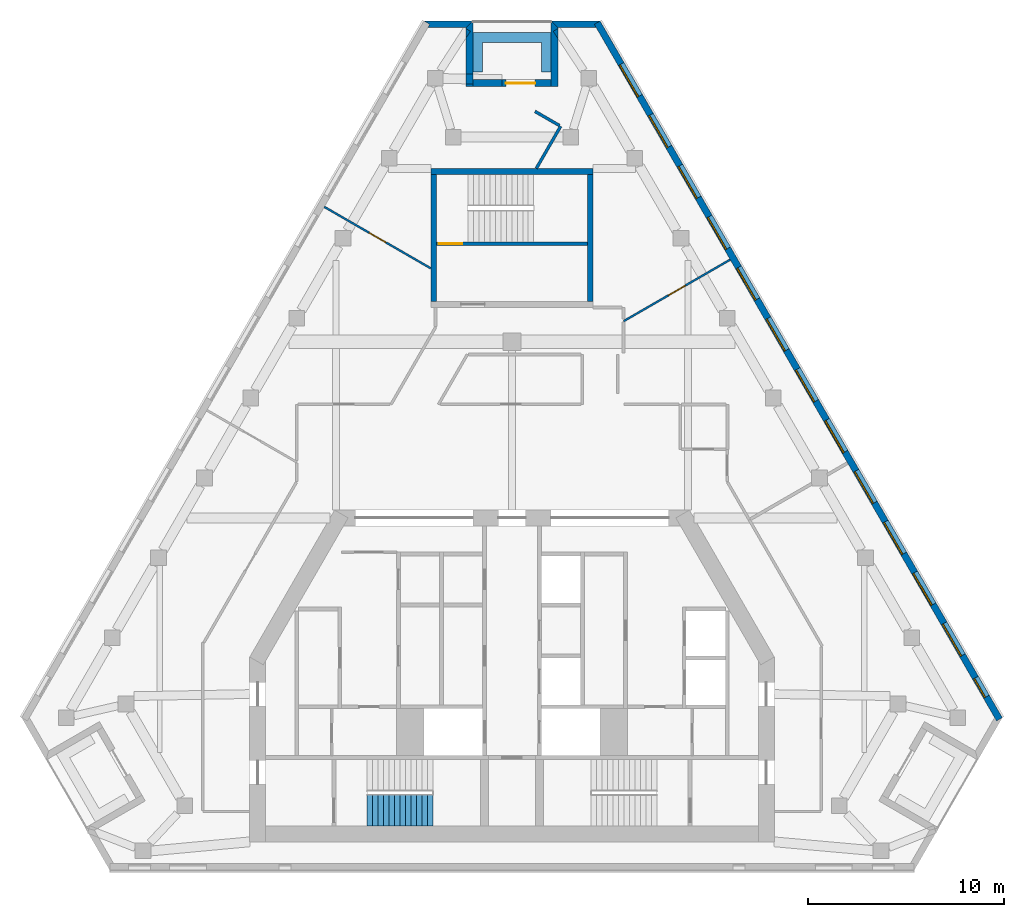
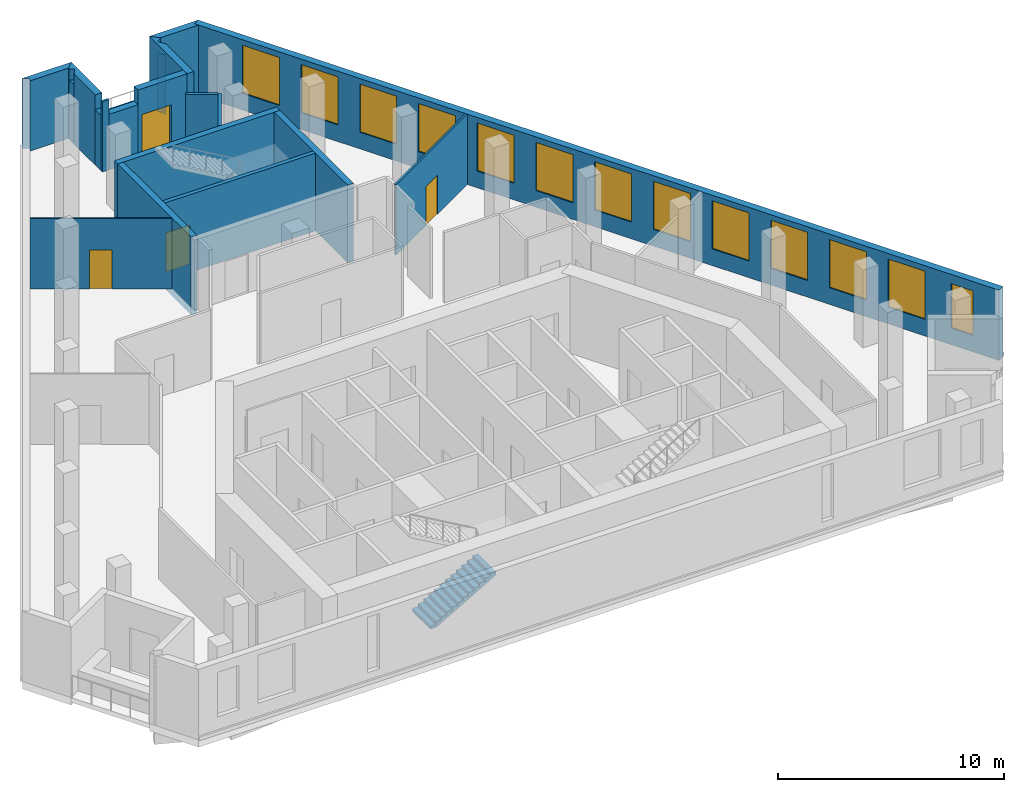
# One storey, part 6 of 8: 20 walls, 13 windows, 4 doors, 1 stair flight, 17 openings, 1 element without a shape of its own.
"""IFC4 building model written with IfcOpenShell, lengths in metres."""

from ifc_helpers import new_model, si_unit, direction, frame, frame_2d, origin, place, context, subcontext, project, spatial, polyline, rectangle, outline, extrude, material, layer, layer_set, type_object, element, fill, aggregate, save


model = new_model("IFC4")

# Units and contexts
model_context = context("Model", 3, precision=1e-05, world=origin(), true_north=direction((0.0, 1.0)))
body_context = subcontext(model_context, "Body", "Model", "MODEL_VIEW")
ifc_project = project(units=[si_unit("LENGTHUNIT", "METRE"), si_unit("AREAUNIT", "SQUARE_METRE"), si_unit("VOLUMEUNIT", "CUBIC_METRE"), si_unit("PLANEANGLEUNIT", "RADIAN"), si_unit("MASSUNIT", "GRAM", prefix="KILO")], contexts=[model_context])

# Site, building, storey
site_placement = place(None, origin())
site = spatial("IfcSite", under=ifc_project, at=site_placement, CompositionType="ELEMENT")
building_placement = place(site_placement, origin())
building = spatial("IfcBuilding", under=site, at=building_placement, Name="Fogline Exchange Tower", CompositionType="ELEMENT")
storey_placement = place(building_placement, frame((0.0, 0.0, 300.300048828125)))
storey = spatial("IfcBuildingStorey", under=building, at=storey_placement, Name="L68", CompositionType="ELEMENT", Elevation=300.300048828125)

# Wall, opening, door
ifc_material_1 = material(Name="Concrete C40", Category="concrete")
ifc_layer_1 = layer(ifc_material_1, 0.199951171875)
ifc_layer_set_1 = layer_set([ifc_layer_1], Name="CW20R")
wall_type_1 = type_object("IfcWallType", Name="CW20R", PredefinedType="SOLIDWALL", material=ifc_layer_set_1)
wall_1_placement = place(storey_placement, frame((-3.85009765625, 32.007080078125, -0.400146484375), z_axis=(0.0, 0.0, 1.0), x_axis=(1.0, 0.0, 0.0)))
wall_1 = element("IfcWall", 1, at=wall_1_placement, inside=storey, type_object=wall_type_1, Name="Stair enclosure wall ST3", PredefinedType="SOLIDWALL", context=body_context, shape_type="SweptSolid", body=[
    extrude(rectangle(XDim=7.7001953125, YDim=0.199951171875, at=frame_2d((3.85009765625, 0.0))), origin(), (0.0, 0.0, 1.0), 4.2001953125),
])
opening_1_placement = place(wall_1_placement, frame((0.10009765625, 0.0, 0.39990234375)))
opening_1 = element("IfcOpeningElement", 2, at=opening_1_placement, cuts=wall_1, Name="Opening T21-C024", PredefinedType="OPENING", context=body_context, shape_type="SweptSolid", body=[
    extrude(rectangle(XDim=1.199951171875, YDim=2.10009765625, at=frame_2d((0.60009765625, 1.050048828125))), frame((0.0, 0.10986328125, 0.0), z_axis=(0.0, -1.0, 0.0), x_axis=(1.0, 0.0, 0.0)), (0.0, 0.0, 1.0), 0.219970703125),
])
ifc_material_2 = material(Name="Steel and timber fire door", Category="steel")
door_type_1 = type_object("IfcDoorType", Name="D-ST1", OperationType="SINGLE_SWING_LEFT", PredefinedType="DOOR", material=ifc_material_2)
door_1_placement = place(opening_1_placement, origin())
door_1 = element("IfcDoor", 3, at=door_1_placement, inside=storey, type_object=door_type_1, Name="Stair door ST3", OperationType="SINGLE_SWING_LEFT", OverallHeight=2.10009765625, OverallWidth=1.199951171875, PredefinedType="DOOR", context=body_context, shape_type="SweptSolid", body=[
    extrude(rectangle(XDim=1.199951171875, YDim=2.10009765625, at=frame_2d((0.60009765625, 1.050048828125))), frame((0.0, 0.02490234375, 0.0), z_axis=(0.0, -1.0, 0.0), x_axis=(1.0, 0.0, 0.0)), (0.0, 0.0, 1.0), 0.050048828125),
])
fill(opening_1, door_1)

# Walls
ifc_layer_2 = layer(ifc_material_1, 0.300048828125)
ifc_layer_set_2 = layer_set([ifc_layer_2], Name="CW30")
wall_type_2 = type_object("IfcWallType", Name="CW30", PredefinedType="SOLIDWALL", material=ifc_layer_set_2)
wall_2_placement = place(storey_placement, frame((-4.14990234375, 35.70703125, -0.400146484375), z_axis=(0.0, 0.0, 1.0), x_axis=(1.0, 0.0, 0.0)))
element("IfcWall", 4, at=wall_2_placement, inside=storey, type_object=wall_type_2, Name="Stair enclosure wall ST3", PredefinedType="SOLIDWALL", context=body_context, shape_type="SweptSolid", body=[
    extrude(rectangle(XDim=8.2998046875, YDim=0.300048828125, at=frame_2d((4.14990234375, 0.0))), origin(), (0.0, 0.0, 1.0), 4.2001953125),
])
for number, where, z_axis, x_axis, name in (
    (5, (-4.0, 29.056884765625, -0.400146484375), (0.0, 0.0, 1.0), (0.0, 1.0, 0.0), "Stair enclosure wall ST3"),
    (6, (4.0, 29.056884765625, -0.400146484375), (0.0, 0.0, 1.0), (0.0, 1.0, 0.0), "Stair enclosure wall ST3"),
):
    element("IfcWall", number, at=place(storey_placement, frame(where, z_axis=z_axis, x_axis=x_axis)), inside=storey, type_object=wall_type_2, Name=name, PredefinedType="SOLIDWALL", context=body_context, shape_type="SweptSolid", body=[
        extrude(rectangle(XDim=6.5, YDim=0.300048828125, at=frame_2d((3.25, 0.0))), origin(), (0.0, 0.0, 1.0), 4.2001953125),
    ])

# Wall, openings, windows
ifc_material_3 = material(Name="Brick masonry", Category="masonry")
ifc_layer_3 = layer(ifc_material_3, 0.340087890625)
ifc_layer_set_3 = layer_set([ifc_layer_3], Name="FW1")
wall_type_3 = type_object("IfcWallType", Name="FW1", PredefinedType="SOLIDWALL", material=ifc_layer_set_3)
wall_3_placement = place(storey_placement, frame((24.905029296875, 7.709228515625, 0.0), z_axis=(0.0, 0.0, 1.0), x_axis=(-0.50000128873, 0.866024659735, 0.0)))
wall_3 = element("IfcWall", 7, at=wall_3_placement, inside=storey, type_object=wall_type_3, Name="Brick wall L68 E", PredefinedType="SOLIDWALL", context=body_context, shape_type="SweptSolid", body=[
    extrude(rectangle(XDim=41.1044921875, YDim=0.340087890625, at=frame_2d((20.55224609375, 0.0))), origin(), (0.0, 0.0, 1.0), 3.800048828125),
])
opening_2_placement = place(wall_3_placement, frame((3.776123046875, 0.0, 0.89990234375)))
opening_2 = element("IfcOpeningElement", 8, at=opening_2_placement, cuts=wall_3, Name="Opening W3", PredefinedType="OPENING", context=body_context, shape_type="SweptSolid", body=[
    extrude(rectangle(XDim=1.885009765625, YDim=2.60009765625, at=frame_2d((0.9423828125, 1.300048828125))), frame((0.0, 0.18017578125, 0.0), z_axis=(0.0, -1.0, 0.0), x_axis=(1.0, 0.0, 0.0)), (0.0, 0.0, 1.0), 0.360107421875),
])
opening_3_placement = place(wall_3_placement, frame((6.776123046875, 0.0, 0.89990234375)))
opening_3 = element("IfcOpeningElement", 9, at=opening_3_placement, cuts=wall_3, Name="Opening W3", PredefinedType="OPENING", context=body_context, shape_type="SweptSolid", body=[
    extrude(rectangle(XDim=1.885009765625, YDim=2.60009765625, at=frame_2d((0.9423828125, 1.300048828125))), frame((0.0, 0.18017578125, 0.0), z_axis=(0.0, -1.0, 0.0), x_axis=(1.0, 0.0, 0.0)), (0.0, 0.0, 1.0), 0.360107421875),
])
opening_4_placement = place(wall_3_placement, frame((9.776123046875, 0.0, 0.89990234375)))
opening_4 = element("IfcOpeningElement", 10, at=opening_4_placement, cuts=wall_3, Name="Opening W3", PredefinedType="OPENING", context=body_context, shape_type="SweptSolid", body=[
    extrude(rectangle(XDim=1.885009765625, YDim=2.60009765625, at=frame_2d((0.9423828125, 1.300048828125))), frame((0.0, 0.18017578125, 0.0), z_axis=(0.0, -1.0, 0.0), x_axis=(1.0, 0.0, 0.0)), (0.0, 0.0, 1.0), 0.360107421875),
])
opening_5_placement = place(wall_3_placement, frame((12.776123046875, 0.0, 0.89990234375)))
opening_5 = element("IfcOpeningElement", 11, at=opening_5_placement, cuts=wall_3, Name="Opening W3", PredefinedType="OPENING", context=body_context, shape_type="SweptSolid", body=[
    extrude(rectangle(XDim=1.885009765625, YDim=2.60009765625, at=frame_2d((0.9423828125, 1.300048828125))), frame((0.0, 0.18017578125, 0.0), z_axis=(0.0, -1.0, 0.0), x_axis=(1.0, 0.0, 0.0)), (0.0, 0.0, 1.0), 0.360107421875),
])
opening_6_placement = place(wall_3_placement, frame((15.776123046875, 0.0, 0.89990234375)))
opening_6 = element("IfcOpeningElement", 12, at=opening_6_placement, cuts=wall_3, Name="Opening W3", PredefinedType="OPENING", context=body_context, shape_type="SweptSolid", body=[
    extrude(rectangle(XDim=1.885009765625, YDim=2.60009765625, at=frame_2d((0.9423828125, 1.300048828125))), frame((0.0, 0.18017578125, 0.0), z_axis=(0.0, -1.0, 0.0), x_axis=(1.0, 0.0, 0.0)), (0.0, 0.0, 1.0), 0.360107421875),
])
opening_7_placement = place(wall_3_placement, frame((18.776123046875, 0.0, 0.89990234375)))
opening_7 = element("IfcOpeningElement", 13, at=opening_7_placement, cuts=wall_3, Name="Opening W3", PredefinedType="OPENING", context=body_context, shape_type="SweptSolid", body=[
    extrude(rectangle(XDim=1.885009765625, YDim=2.60009765625, at=frame_2d((0.9423828125, 1.300048828125))), frame((0.0, 0.18017578125, 0.0), z_axis=(0.0, -1.0, 0.0), x_axis=(1.0, 0.0, 0.0)), (0.0, 0.0, 1.0), 0.360107421875),
])
opening_8_placement = place(wall_3_placement, frame((21.776123046875, 0.0, 0.89990234375)))
opening_8 = element("IfcOpeningElement", 14, at=opening_8_placement, cuts=wall_3, Name="Opening W3", PredefinedType="OPENING", context=body_context, shape_type="SweptSolid", body=[
    extrude(rectangle(XDim=1.885009765625, YDim=2.60009765625, at=frame_2d((0.9423828125, 1.300048828125))), frame((0.0, 0.18017578125, 0.0), z_axis=(0.0, -1.0, 0.0), x_axis=(1.0, 0.0, 0.0)), (0.0, 0.0, 1.0), 0.360107421875),
])
opening_9_placement = place(wall_3_placement, frame((24.776123046875, 0.0, 0.89990234375)))
opening_9 = element("IfcOpeningElement", 15, at=opening_9_placement, cuts=wall_3, Name="Opening W3", PredefinedType="OPENING", context=body_context, shape_type="SweptSolid", body=[
    extrude(rectangle(XDim=1.885009765625, YDim=2.60009765625, at=frame_2d((0.9423828125, 1.300048828125))), frame((0.0, 0.18017578125, 0.0), z_axis=(0.0, -1.0, 0.0), x_axis=(1.0, 0.0, 0.0)), (0.0, 0.0, 1.0), 0.360107421875),
])
opening_10_placement = place(wall_3_placement, frame((27.776123046875, 0.0, 0.89990234375)))
opening_10 = element("IfcOpeningElement", 16, at=opening_10_placement, cuts=wall_3, Name="Opening W3", PredefinedType="OPENING", context=body_context, shape_type="SweptSolid", body=[
    extrude(rectangle(XDim=1.885009765625, YDim=2.60009765625, at=frame_2d((0.9423828125, 1.300048828125))), frame((0.0, 0.18017578125, 0.0), z_axis=(0.0, -1.0, 0.0), x_axis=(1.0, 0.0, 0.0)), (0.0, 0.0, 1.0), 0.360107421875),
])
opening_11_placement = place(wall_3_placement, frame((30.776123046875, 0.0, 0.89990234375)))
opening_11 = element("IfcOpeningElement", 17, at=opening_11_placement, cuts=wall_3, Name="Opening W3", PredefinedType="OPENING", context=body_context, shape_type="SweptSolid", body=[
    extrude(rectangle(XDim=1.885009765625, YDim=2.60009765625, at=frame_2d((0.9423828125, 1.300048828125))), frame((0.0, 0.18017578125, 0.0), z_axis=(0.0, -1.0, 0.0), x_axis=(1.0, 0.0, 0.0)), (0.0, 0.0, 1.0), 0.360107421875),
])
opening_12_placement = place(wall_3_placement, frame((33.776123046875, 0.0, 0.89990234375)))
opening_12 = element("IfcOpeningElement", 18, at=opening_12_placement, cuts=wall_3, Name="Opening W3", PredefinedType="OPENING", context=body_context, shape_type="SweptSolid", body=[
    extrude(rectangle(XDim=1.885009765625, YDim=2.60009765625, at=frame_2d((0.9423828125, 1.300048828125))), frame((0.0, 0.18017578125, 0.0), z_axis=(0.0, -1.0, 0.0), x_axis=(1.0, 0.0, 0.0)), (0.0, 0.0, 1.0), 0.360107421875),
])
opening_13_placement = place(wall_3_placement, frame((36.776123046875, 0.0, 0.89990234375)))
opening_13 = element("IfcOpeningElement", 19, at=opening_13_placement, cuts=wall_3, Name="Opening W3", PredefinedType="OPENING", context=body_context, shape_type="SweptSolid", body=[
    extrude(rectangle(XDim=1.885009765625, YDim=2.60009765625, at=frame_2d((0.9423828125, 1.300048828125))), frame((0.0, 0.18017578125, 0.0), z_axis=(0.0, -1.0, 0.0), x_axis=(1.0, 0.0, 0.0)), (0.0, 0.0, 1.0), 0.360107421875),
])
opening_14_placement = place(wall_3_placement, frame((1.33056640625, 0.0, 0.89990234375)))
opening_14 = element("IfcOpeningElement", 20, at=opening_14_placement, cuts=wall_3, Name="Opening W4", PredefinedType="OPENING", context=body_context, shape_type="SweptSolid", body=[
    extrude(rectangle(XDim=1.114990234375, YDim=2.39990234375, at=frame_2d((0.5576171875, 1.199951171875))), frame((0.0, 0.18017578125, 0.0), z_axis=(0.0, -1.0, 0.0), x_axis=(1.0, 0.0, 0.0)), (0.0, 0.0, 1.0), 0.360107421875),
])
ifc_material_4 = material(Name="Aluminium and glass", Category="aluminium")
window_type_1 = type_object("IfcWindowType", Name="W3", PartitioningType="SINGLE_PANEL", PredefinedType="WINDOW", material=ifc_material_4)
window_1_placement = place(opening_2_placement, origin())
window_1 = element("IfcWindow", 21, at=window_1_placement, inside=storey, type_object=window_type_1, Name="W3 W3", OverallHeight=2.60009765625, OverallWidth=1.885009765625, PartitioningType="SINGLE_PANEL", PredefinedType="WINDOW", context=body_context, shape_type="SweptSolid", body=[
    extrude(rectangle(XDim=1.885009765625, YDim=2.60009765625, at=frame_2d((0.9423828125, 1.300048828125))), frame((0.0, 0.110107421875, 0.0), z_axis=(0.0, -1.0, 0.0), x_axis=(1.0, 0.0, 0.0)), (0.0, 0.0, 1.0), 0.06005859375),
])
fill(opening_2, window_1)
window_2_placement = place(opening_3_placement, origin())
window_2 = element("IfcWindow", 22, at=window_2_placement, inside=storey, type_object=window_type_1, Name="W3 W3", OverallHeight=2.60009765625, OverallWidth=1.885009765625, PartitioningType="SINGLE_PANEL", PredefinedType="WINDOW", context=body_context, shape_type="SweptSolid", body=[
    extrude(rectangle(XDim=1.885009765625, YDim=2.60009765625, at=frame_2d((0.9423828125, 1.300048828125))), frame((0.0, 0.110107421875, 0.0), z_axis=(0.0, -1.0, 0.0), x_axis=(1.0, 0.0, 0.0)), (0.0, 0.0, 1.0), 0.06005859375),
])
fill(opening_3, window_2)
window_3_placement = place(opening_4_placement, origin())
window_3 = element("IfcWindow", 23, at=window_3_placement, inside=storey, type_object=window_type_1, Name="W3 W3", OverallHeight=2.60009765625, OverallWidth=1.885009765625, PartitioningType="SINGLE_PANEL", PredefinedType="WINDOW", context=body_context, shape_type="SweptSolid", body=[
    extrude(rectangle(XDim=1.885009765625, YDim=2.60009765625, at=frame_2d((0.9423828125, 1.300048828125))), frame((0.0, 0.110107421875, 0.0), z_axis=(0.0, -1.0, 0.0), x_axis=(1.0, 0.0, 0.0)), (0.0, 0.0, 1.0), 0.06005859375),
])
fill(opening_4, window_3)
window_4_placement = place(opening_5_placement, origin())
window_4 = element("IfcWindow", 24, at=window_4_placement, inside=storey, type_object=window_type_1, Name="W3 W3", OverallHeight=2.60009765625, OverallWidth=1.885009765625, PartitioningType="SINGLE_PANEL", PredefinedType="WINDOW", context=body_context, shape_type="SweptSolid", body=[
    extrude(rectangle(XDim=1.885009765625, YDim=2.60009765625, at=frame_2d((0.9423828125, 1.300048828125))), frame((0.0, 0.110107421875, 0.0), z_axis=(0.0, -1.0, 0.0), x_axis=(1.0, 0.0, 0.0)), (0.0, 0.0, 1.0), 0.06005859375),
])
fill(opening_5, window_4)
window_5_placement = place(opening_6_placement, origin())
window_5 = element("IfcWindow", 25, at=window_5_placement, inside=storey, type_object=window_type_1, Name="W3 W3", OverallHeight=2.60009765625, OverallWidth=1.885009765625, PartitioningType="SINGLE_PANEL", PredefinedType="WINDOW", context=body_context, shape_type="SweptSolid", body=[
    extrude(rectangle(XDim=1.885009765625, YDim=2.60009765625, at=frame_2d((0.9423828125, 1.300048828125))), frame((0.0, 0.110107421875, 0.0), z_axis=(0.0, -1.0, 0.0), x_axis=(1.0, 0.0, 0.0)), (0.0, 0.0, 1.0), 0.06005859375),
])
fill(opening_6, window_5)
window_6_placement = place(opening_7_placement, origin())
window_6 = element("IfcWindow", 26, at=window_6_placement, inside=storey, type_object=window_type_1, Name="W3 W3", OverallHeight=2.60009765625, OverallWidth=1.885009765625, PartitioningType="SINGLE_PANEL", PredefinedType="WINDOW", context=body_context, shape_type="SweptSolid", body=[
    extrude(rectangle(XDim=1.885009765625, YDim=2.60009765625, at=frame_2d((0.9423828125, 1.300048828125))), frame((0.0, 0.110107421875, 0.0), z_axis=(0.0, -1.0, 0.0), x_axis=(1.0, 0.0, 0.0)), (0.0, 0.0, 1.0), 0.06005859375),
])
fill(opening_7, window_6)
window_7_placement = place(opening_8_placement, origin())
window_7 = element("IfcWindow", 27, at=window_7_placement, inside=storey, type_object=window_type_1, Name="W3 W3", OverallHeight=2.60009765625, OverallWidth=1.885009765625, PartitioningType="SINGLE_PANEL", PredefinedType="WINDOW", context=body_context, shape_type="SweptSolid", body=[
    extrude(rectangle(XDim=1.885009765625, YDim=2.60009765625, at=frame_2d((0.9423828125, 1.300048828125))), frame((0.0, 0.110107421875, 0.0), z_axis=(0.0, -1.0, 0.0), x_axis=(1.0, 0.0, 0.0)), (0.0, 0.0, 1.0), 0.06005859375),
])
fill(opening_8, window_7)
window_8_placement = place(opening_9_placement, origin())
window_8 = element("IfcWindow", 28, at=window_8_placement, inside=storey, type_object=window_type_1, Name="W3 W3", OverallHeight=2.60009765625, OverallWidth=1.885009765625, PartitioningType="SINGLE_PANEL", PredefinedType="WINDOW", context=body_context, shape_type="SweptSolid", body=[
    extrude(rectangle(XDim=1.885009765625, YDim=2.60009765625, at=frame_2d((0.9423828125, 1.300048828125))), frame((0.0, 0.110107421875, 0.0), z_axis=(0.0, -1.0, 0.0), x_axis=(1.0, 0.0, 0.0)), (0.0, 0.0, 1.0), 0.06005859375),
])
fill(opening_9, window_8)
window_9_placement = place(opening_10_placement, origin())
window_9 = element("IfcWindow", 29, at=window_9_placement, inside=storey, type_object=window_type_1, Name="W3 W3", OverallHeight=2.60009765625, OverallWidth=1.885009765625, PartitioningType="SINGLE_PANEL", PredefinedType="WINDOW", context=body_context, shape_type="SweptSolid", body=[
    extrude(rectangle(XDim=1.885009765625, YDim=2.60009765625, at=frame_2d((0.9423828125, 1.300048828125))), frame((0.0, 0.110107421875, 0.0), z_axis=(0.0, -1.0, 0.0), x_axis=(1.0, 0.0, 0.0)), (0.0, 0.0, 1.0), 0.06005859375),
])
fill(opening_10, window_9)
window_10_placement = place(opening_11_placement, origin())
window_10 = element("IfcWindow", 30, at=window_10_placement, inside=storey, type_object=window_type_1, Name="W3 W3", OverallHeight=2.60009765625, OverallWidth=1.885009765625, PartitioningType="SINGLE_PANEL", PredefinedType="WINDOW", context=body_context, shape_type="SweptSolid", body=[
    extrude(rectangle(XDim=1.885009765625, YDim=2.60009765625, at=frame_2d((0.9423828125, 1.300048828125))), frame((0.0, 0.110107421875, 0.0), z_axis=(0.0, -1.0, 0.0), x_axis=(1.0, 0.0, 0.0)), (0.0, 0.0, 1.0), 0.06005859375),
])
fill(opening_11, window_10)
window_11_placement = place(opening_12_placement, origin())
window_11 = element("IfcWindow", 31, at=window_11_placement, inside=storey, type_object=window_type_1, Name="W3 W3", OverallHeight=2.60009765625, OverallWidth=1.885009765625, PartitioningType="SINGLE_PANEL", PredefinedType="WINDOW", context=body_context, shape_type="SweptSolid", body=[
    extrude(rectangle(XDim=1.885009765625, YDim=2.60009765625, at=frame_2d((0.9423828125, 1.300048828125))), frame((0.0, 0.110107421875, 0.0), z_axis=(0.0, -1.0, 0.0), x_axis=(1.0, 0.0, 0.0)), (0.0, 0.0, 1.0), 0.06005859375),
])
fill(opening_12, window_11)
window_12_placement = place(opening_13_placement, origin())
window_12 = element("IfcWindow", 32, at=window_12_placement, inside=storey, type_object=window_type_1, Name="W3 W3", OverallHeight=2.60009765625, OverallWidth=1.885009765625, PartitioningType="SINGLE_PANEL", PredefinedType="WINDOW", context=body_context, shape_type="SweptSolid", body=[
    extrude(rectangle(XDim=1.885009765625, YDim=2.60009765625, at=frame_2d((0.9423828125, 1.300048828125))), frame((0.0, 0.110107421875, 0.0), z_axis=(0.0, -1.0, 0.0), x_axis=(1.0, 0.0, 0.0)), (0.0, 0.0, 1.0), 0.06005859375),
])
fill(opening_13, window_12)
window_type_2 = type_object("IfcWindowType", Name="W4", PartitioningType="SINGLE_PANEL", PredefinedType="WINDOW", material=ifc_material_4)
window_13_placement = place(opening_14_placement, origin())
window_13 = element("IfcWindow", 33, at=window_13_placement, inside=storey, type_object=window_type_2, Name="W4 W4", OverallHeight=2.39990234375, OverallWidth=1.114990234375, PartitioningType="SINGLE_PANEL", PredefinedType="WINDOW", context=body_context, shape_type="SweptSolid", body=[
    extrude(rectangle(XDim=1.114990234375, YDim=2.39990234375, at=frame_2d((0.5576171875, 1.199951171875))), frame((0.0, 0.110107421875, 0.0), z_axis=(0.0, -1.0, 0.0), x_axis=(1.0, 0.0, 0.0)), (0.0, 0.0, 1.0), 0.06005859375),
])
fill(opening_14, window_13)

# Walls
wall_4_placement = place(storey_placement, origin())
element("IfcWall", 34, at=wall_4_placement, inside=storey, type_object=wall_type_3, Name="Brick wall L68 N-c1", PredefinedType="SOLIDWALL", context=body_context, shape_type="SweptSolid", body=[
    extrude(outline(polyline([(1.9990234375, 43.392333984375), (4.5009765625, 43.392333984375), (4.501220703125, 43.3916015625), (4.206298828125, 43.221435546875), (4.3046875, 43.051025390625), (2.33984375, 43.051025390625), (1.998779296875, 43.39208984375), (1.9990234375, 43.392333984375)])), origin(), (0.0, 0.0, 1.0), 3.800048828125),
])
wall_5_placement = place(storey_placement, origin())
element("IfcWall", 35, at=wall_5_placement, inside=storey, type_object=wall_type_3, Name="Brick wall L68 N-s1", PredefinedType="SOLIDWALL", context=body_context, shape_type="SweptSolid", body=[
    extrude(outline(polyline([(2.340576171875, 42.503173828125), (2.107177734375, 42.859130859375), (2.340576171875, 43.012451171875), (2.340576171875, 42.503173828125)])), origin(), (0.0, 0.0, 1.0), 3.199951171875),
])
wall_6_placement = place(storey_placement, origin())
element("IfcWall", 36, at=wall_6_placement, inside=storey, type_object=wall_type_3, Name="Brick wall L68 N-s1", PredefinedType="SOLIDWALL", context=body_context, shape_type="SweptSolid", body=[
    extrude(outline(polyline([(1.99951171875, 40.051025390625), (1.99951171875, 43.392578125), (1.999755859375, 43.392822265625), (2.340576171875, 43.052001953125), (2.340576171875, 43.012451171875), (2.107177734375, 42.859130859375), (2.340576171875, 42.503173828125), (2.340576171875, 40.051025390625), (1.99951171875, 40.051025390625)])), origin(), (0.0, 0.0, 1.0), 3.800048828125),
])

# Wall, opening, door
wall_7_placement = place(storey_placement, frame((2.0, 40.2216796875, 0.0), z_axis=(0.0, 0.0, 1.0), x_axis=(-1.0, 0.0, 0.0)))
wall_7 = element("IfcWall", 37, at=wall_7_placement, inside=storey, type_object=wall_type_3, Name="Brick wall L68 N-bk", PredefinedType="SOLIDWALL", context=body_context, shape_type="SweptSolid", body=[
    extrude(rectangle(XDim=2.51416015625, YDim=0.340087890625, at=frame_2d((1.257080078125, 0.0))), origin(), (0.0, 0.0, 1.0), 3.800048828125),
])
opening_15_placement = place(wall_7_placement, frame((0.81396484375, 0.0, 0.0)))
opening_15 = element("IfcOpeningElement", 38, at=opening_15_placement, cuts=wall_7, Name="Opening T21-E141", PredefinedType="OPENING", context=body_context, shape_type="SweptSolid", body=[
    extrude(rectangle(XDim=1.5, YDim=2.39990234375, at=frame_2d((0.75, 1.199951171875))), frame((0.0, 0.18017578125, 0.0), z_axis=(0.0, -1.0, 0.0), x_axis=(1.0, 0.0, 0.0)), (0.0, 0.0, 1.0), 0.360107421875),
])
door_type_2 = type_object("IfcDoorType", Name="ED4", OperationType="SINGLE_SWING_LEFT", PredefinedType="DOOR", material=ifc_material_4)
door_2_placement = place(opening_15_placement, frame((1.5, 0.0, 0.0), z_axis=(0.0, 0.0, 1.0), x_axis=(-1.0, 0.0, 0.0)))
door_2 = element("IfcDoor", 39, at=door_2_placement, inside=storey, type_object=door_type_2, Name="Balcony door L68 N", OperationType="DOUBLE_DOOR_SINGLE_SWING", OverallHeight=2.39990234375, OverallWidth=1.5, PredefinedType="DOOR", context=body_context, shape_type="SweptSolid", body=[
    extrude(rectangle(XDim=1.5, YDim=2.39990234375, at=frame_2d((0.75, 1.199951171875))), frame((0.0, 0.02490234375, 0.0), z_axis=(0.0, -1.0, 0.0), x_axis=(1.0, 0.0, 0.0)), (0.0, 0.0, 1.0), 0.050048828125),
])
fill(opening_15, door_2)

# Walls
wall_8_placement = place(storey_placement, frame((-0.51416015625, 40.2216796875, 0.0), z_axis=(0.0, 0.0, 1.0), x_axis=(-1.0, 0.0, 0.0)))
element("IfcWall", 40, at=wall_8_placement, inside=storey, type_object=wall_type_3, Name="Brick wall L68 N-bk", PredefinedType="SOLIDWALL", context=body_context, shape_type="SweptSolid", body=[
    extrude(rectangle(XDim=1.48583984375, YDim=0.340087890625, at=frame_2d((0.742919921875, 0.0))), origin(), (0.0, 0.0, 1.0), 3.0),
])
wall_9_placement = place(storey_placement, origin())
element("IfcWall", 41, at=wall_9_placement, inside=storey, type_object=wall_type_3, Name="Brick wall L68 N-s2", PredefinedType="SOLIDWALL", context=body_context, shape_type="SweptSolid", body=[
    extrude(outline(polyline([(-1.99951171875, 40.174560546875), (-2.340576171875, 40.180419921875), (-2.340576171875, 40.680419921875), (-1.99951171875, 40.6748046875), (-1.99951171875, 40.174560546875)])), origin(), (0.0, 0.0, 1.0), 3.0),
])
wall_10_placement = place(storey_placement, origin())
element("IfcWall", 42, at=wall_10_placement, inside=storey, type_object=wall_type_3, Name="Brick wall L68 N-s2", PredefinedType="SOLIDWALL", context=body_context, shape_type="SweptSolid", body=[
    extrude(outline(polyline([(-2.340576171875, 43.00146484375), (-2.126953125, 42.86328125), (-2.340576171875, 42.533203125), (-2.340576171875, 43.00146484375)])), origin(), (0.0, 0.0, 1.0), 3.199951171875),
])
wall_11_placement = place(storey_placement, origin())
element("IfcWall", 43, at=wall_11_placement, inside=storey, type_object=wall_type_3, Name="Brick wall L68 N-s2", PredefinedType="SOLIDWALL", context=body_context, shape_type="SweptSolid", body=[
    extrude(outline(polyline([(-2.340576171875, 40.680419921875), (-2.340576171875, 42.533203125), (-2.126953125, 42.86328125), (-2.340576171875, 43.00146484375), (-2.340576171875, 43.052001953125), (-1.999755859375, 43.392822265625), (-1.99951171875, 43.392578125), (-1.99951171875, 40.6748046875), (-2.340576171875, 40.680419921875)])), origin(), (0.0, 0.0, 1.0), 3.800048828125),
])
wall_12_placement = place(storey_placement, origin())
element("IfcWall", 44, at=wall_12_placement, inside=storey, type_object=wall_type_3, Name="Brick wall L68 N-s2", PredefinedType="SOLIDWALL", context=body_context, shape_type="SweptSolid", body=[
    extrude(outline(polyline([(-2.340576171875, 40.051025390625), (-2.340576171875, 40.180419921875), (-1.99951171875, 40.174560546875), (-1.99951171875, 40.051025390625), (-2.340576171875, 40.051025390625)])), origin(), (0.0, 0.0, 1.0), 3.800048828125),
])
wall_13_placement = place(storey_placement, origin())
element("IfcWall", 45, at=wall_13_placement, inside=storey, type_object=wall_type_3, Name="Brick wall L68 N-c2", PredefinedType="SOLIDWALL", context=body_context, shape_type="SweptSolid", body=[
    extrude(outline(polyline([(-4.3046875, 43.051025390625), (-4.206298828125, 43.221435546875), (-4.501220703125, 43.3916015625), (-4.5009765625, 43.392333984375), (-1.9990234375, 43.392333984375), (-1.998779296875, 43.39208984375), (-2.33984375, 43.051025390625), (-4.3046875, 43.051025390625)])), origin(), (0.0, 0.0, 1.0), 3.800048828125),
])
ifc_material_5 = material(Name="Concrete C30", Category="concrete")
ifc_layer_4 = layer(ifc_material_5, 0.199951171875)
ifc_layer_set_4 = layer_set([ifc_layer_4], Name="PL1")
wall_type_4 = type_object("IfcWallType", Name="PL1", PredefinedType="USERDEFINED", material=ifc_layer_set_4)
wall_14_placement = place(storey_placement, origin())
element("IfcWall", 46, at=wall_14_placement, inside=storey, type_object=wall_type_4, Name="PLANTER balcony L68 N", ObjectType="PLANTER", PredefinedType="USERDEFINED", context=body_context, shape_type="SweptSolid", body=[
    extrude(outline(polyline([(-1.5, 42.791748046875), (-2.0, 42.791748046875), (-2.0, 42.291748046875), (-2.0, 40.791748046875), (-1.5, 40.791748046875), (-1.5, 42.291748046875), (1.5, 42.291748046875), (1.5, 40.791748046875), (2.0, 40.791748046875), (2.0, 42.291748046875), (2.0, 42.791748046875), (1.5, 42.791748046875), (-1.5, 42.791748046875)])), origin(), (0.0, 0.0, 1.0), 1.099853515625),
])

# Wall, opening, door
ifc_material_6 = material(Name="Plasterboard partition, 2 layers each side on steel studs", Category="steel")
ifc_layer_5 = layer(ifc_material_6, 0.10009765625)
ifc_layer_set_5 = layer_set([ifc_layer_5], Name="PW1")
wall_type_5 = type_object("IfcWallType", Name="PW1", PredefinedType="PARTITIONING", material=ifc_layer_set_5)
wall_15_placement = place(storey_placement, frame((5.699951171875, 28.050537109375, 0.0), z_axis=(0.0, 0.0, 1.0), x_axis=(0.866020798945, 0.500007975732, 0.0)))
wall_15 = element("IfcWall", 47, at=wall_15_placement, inside=storey, type_object=wall_type_5, Name="wall-L68-W027", PredefinedType="PARTITIONING", context=body_context, shape_type="SweptSolid", body=[
    extrude(rectangle(XDim=6.29150390625, YDim=0.10009765625, at=frame_2d((3.145751953125, 0.0))), origin(), (0.0, 0.0, 1.0), 3.800048828125),
])
opening_16_placement = place(wall_15_placement, frame((2.6455078125, 0.0, 0.0)))
opening_16 = element("IfcOpeningElement", 48, at=opening_16_placement, cuts=wall_15, Name="Opening T21-D007", PredefinedType="OPENING", context=body_context, shape_type="SweptSolid", body=[
    extrude(rectangle(XDim=1.0, YDim=2.10009765625, at=frame_2d((0.5, 1.050048828125))), frame((0.0, 0.06005859375, 0.0), z_axis=(0.0, -1.0, 0.0), x_axis=(1.0, 0.0, 0.0)), (0.0, 0.0, 1.0), 0.1201171875),
])
ifc_material_7 = material(Name="Timber door leaf with steel frame", Category="steel")
door_type_3 = type_object("IfcDoorType", Name="D1", OperationType="SINGLE_SWING_LEFT", PredefinedType="DOOR", material=ifc_material_7)
door_3_placement = place(opening_16_placement, origin())
door_3 = element("IfcDoor", 49, at=door_3_placement, inside=storey, type_object=door_type_3, Name="door-L68-D007", OperationType="SINGLE_SWING_LEFT", OverallHeight=2.10009765625, OverallWidth=1.0, PredefinedType="DOOR", context=body_context, shape_type="SweptSolid", body=[
    extrude(rectangle(XDim=1.0, YDim=2.10009765625, at=frame_2d((0.5, 1.050048828125))), frame((0.0, 0.02490234375, 0.0), z_axis=(0.0, -1.0, 0.0), x_axis=(1.0, 0.0, 0.0)), (0.0, 0.0, 1.0), 0.050048828125),
])
fill(opening_16, door_3)

wall_16_placement = place(storey_placement, frame((-4.14990234375, 30.752685546875, 0.0), z_axis=(0.0, 0.0, 1.0), x_axis=(-0.866039337855, 0.499975864706, 0.0)))
wall_16 = element("IfcWall", 50, at=wall_16_placement, inside=storey, type_object=wall_type_5, Name="wall-L68-W032", PredefinedType="PARTITIONING", context=body_context, shape_type="SweptSolid", body=[
    extrude(rectangle(XDim=6.282470703125, YDim=0.10009765625, at=frame_2d((3.14111328125, 0.0))), origin(), (0.0, 0.0, 1.0), 3.800048828125),
])
opening_17_placement = place(wall_16_placement, frame((2.641357421875, 0.0, 0.0)))
opening_17 = element("IfcOpeningElement", 51, at=opening_17_placement, cuts=wall_16, Name="Opening T21-D008", PredefinedType="OPENING", context=body_context, shape_type="SweptSolid", body=[
    extrude(rectangle(XDim=1.0, YDim=2.10009765625, at=frame_2d((0.5, 1.050048828125))), frame((0.0, 0.06005859375, 0.0), z_axis=(0.0, -1.0, 0.0), x_axis=(1.0, 0.0, 0.0)), (0.0, 0.0, 1.0), 0.1201171875),
])
door_4_placement = place(opening_17_placement, frame((1.0, 0.0, 0.0), z_axis=(0.0, 0.0, 1.0), x_axis=(-1.0, 0.0, 0.0)))
door_4 = element("IfcDoor", 52, at=door_4_placement, inside=storey, type_object=door_type_3, Name="door-L68-D008", OperationType="SINGLE_SWING_RIGHT", OverallHeight=2.10009765625, OverallWidth=1.0, PredefinedType="DOOR", context=body_context, shape_type="SweptSolid", body=[
    extrude(rectangle(XDim=1.0, YDim=2.10009765625, at=frame_2d((0.5, 1.050048828125))), frame((0.0, 0.02490234375, 0.0), z_axis=(0.0, -1.0, 0.0), x_axis=(1.0, 0.0, 0.0)), (0.0, 0.0, 1.0), 0.050048828125),
])
fill(opening_17, door_4)

# Walls
ifc_material_8 = material(Name="Plasterboard demising partition with mineral wool and acoustic board")
ifc_layer_6 = layer(ifc_material_8, 0.14990234375)
ifc_layer_set_6 = layer_set([ifc_layer_6], Name="PW3")
wall_type_6 = type_object("IfcWallType", Name="PW3", PredefinedType="PARTITIONING", material=ifc_layer_set_6)
wall_17_placement = place(storey_placement, frame((1.241943359375, 35.85693359375, 0.0), z_axis=(0.0, 0.0, 1.0), x_axis=(0.50001949124, 0.86601415022, 0.0)))
element("IfcWall", 53, at=wall_17_placement, inside=storey, type_object=wall_type_6, Name="wall-L68-W030", PredefinedType="PARTITIONING", context=body_context, shape_type="SweptSolid", body=[
    extrude(rectangle(XDim=2.490234375, YDim=0.14990234375, at=frame_2d((1.2451171875, 0.0))), origin(), (0.0, 0.0, 1.0), 3.800048828125),
])
wall_18_placement = place(storey_placement, frame((2.422119140625, 38.051025390625, 0.0), z_axis=(0.0, 0.0, 1.0), x_axis=(-0.866033125095, 0.499986626058, 0.0)))
element("IfcWall", 54, at=wall_18_placement, inside=storey, type_object=wall_type_6, Name="wall-L68-W031", PredefinedType="PARTITIONING", context=body_context, shape_type="SweptSolid", body=[
    extrude(rectangle(XDim=1.43994140625, YDim=0.14990234375, at=frame_2d((0.719970703125, 0.0))), origin(), (0.0, 0.0, 1.0), 3.800048828125),
])

# Stair, stair flight
stair_type = type_object("IfcStairType", Name="STR26-1615", PredefinedType="HALF_TURN_STAIR", material=ifc_material_1)
stair_placement = place(storey_placement, origin())
stair = element("IfcStair", 55, at=stair_placement, inside=storey, type_object=stair_type, Name="Stair ST1", PredefinedType="HALF_TURN_STAIR")
stair_flight_type = type_object("IfcStairFlightType", Name="SF13-1615", PredefinedType="STRAIGHT", material=ifc_material_1)
stair_flight_placement = place(storey_placement, frame((-7.39990234375, 3.050048828125, 0.0), z_axis=(0.0, 0.0, 1.0), x_axis=(1.0, 0.0, 0.0)))
stair_flight = element("IfcStairFlight", 56, at=stair_flight_placement, type_object=stair_flight_type, Name="ST1 flight 1", NumberOfRisers=13, NumberOfTreads=12, PredefinedType="STRAIGHT", RiserHeight=0.161538462, TreadLength=0.28, context=body_context, shape_type="SweptSolid", body=[
    extrude(outline(polyline([(0.0, 0.0), (0.0, 0.16162109375), (0.280029296875, 0.16162109375), (0.280029296875, 0.322998046875), (0.56005859375, 0.322998046875), (0.56005859375, 0.484619140625), (0.840087890625, 0.484619140625), (0.840087890625, 0.646240234375), (1.1201171875, 0.646240234375), (1.1201171875, 0.8076171875), (1.39990234375, 0.8076171875), (1.39990234375, 0.96923828125), (1.679931640625, 0.96923828125), (1.679931640625, 1.130859375), (1.9599609375, 1.130859375), (1.9599609375, 1.292236328125), (2.239990234375, 1.292236328125), (2.239990234375, 1.453857421875), (2.52001953125, 1.453857421875), (2.52001953125, 1.615478515625), (2.800048828125, 1.615478515625), (2.800048828125, 1.77685546875), (3.080078125, 1.77685546875), (3.080078125, 1.9384765625), (3.360107421875, 1.9384765625), (3.360107421875, 2.10009765625), (3.360107421875, 1.765380859375), (0.300048828125, 0.0), (0.0, 0.0)])), frame((0.0, 0.800048828125, 0.0), z_axis=(0.0, -1.0, 0.0), x_axis=(1.0, 0.0, 0.0)), (0.0, 0.0, 1.0), 1.60009765625),
])
aggregate(stair, [stair_flight])

save(model, "model.ifc")
